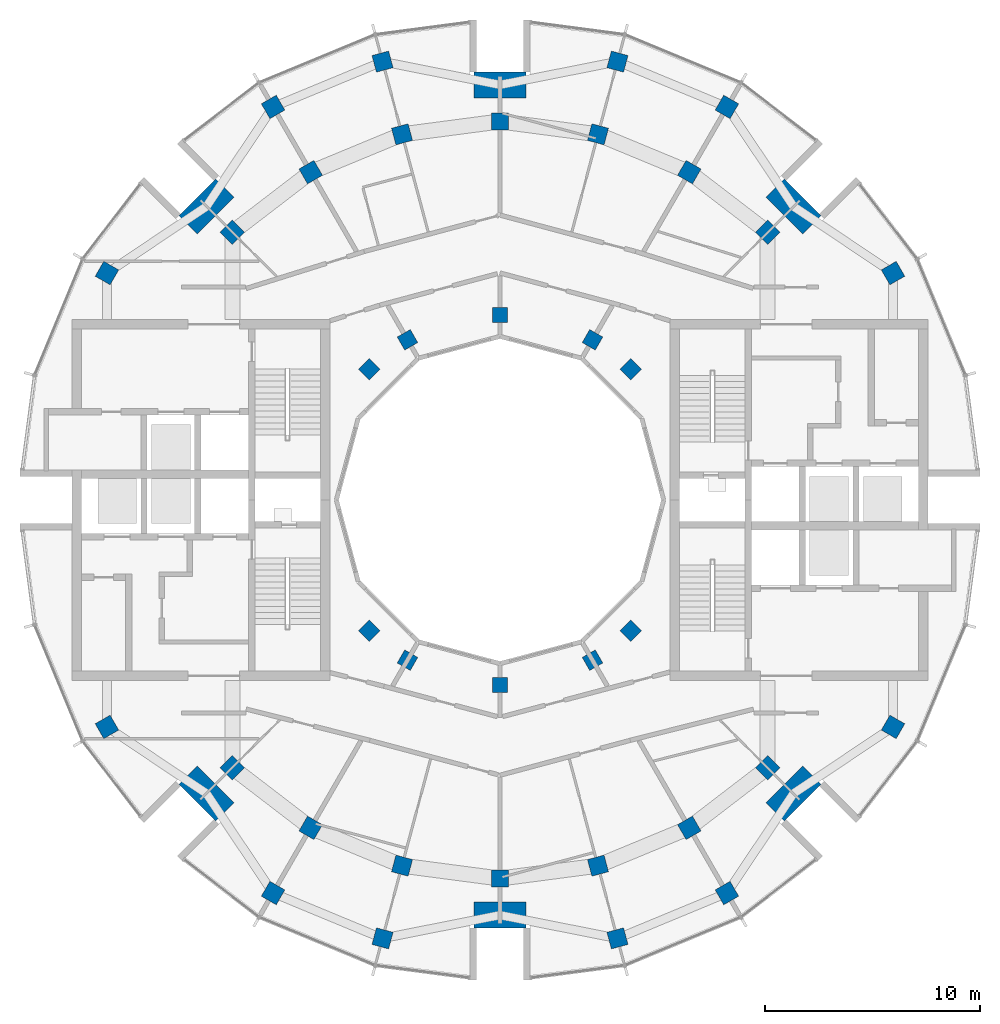
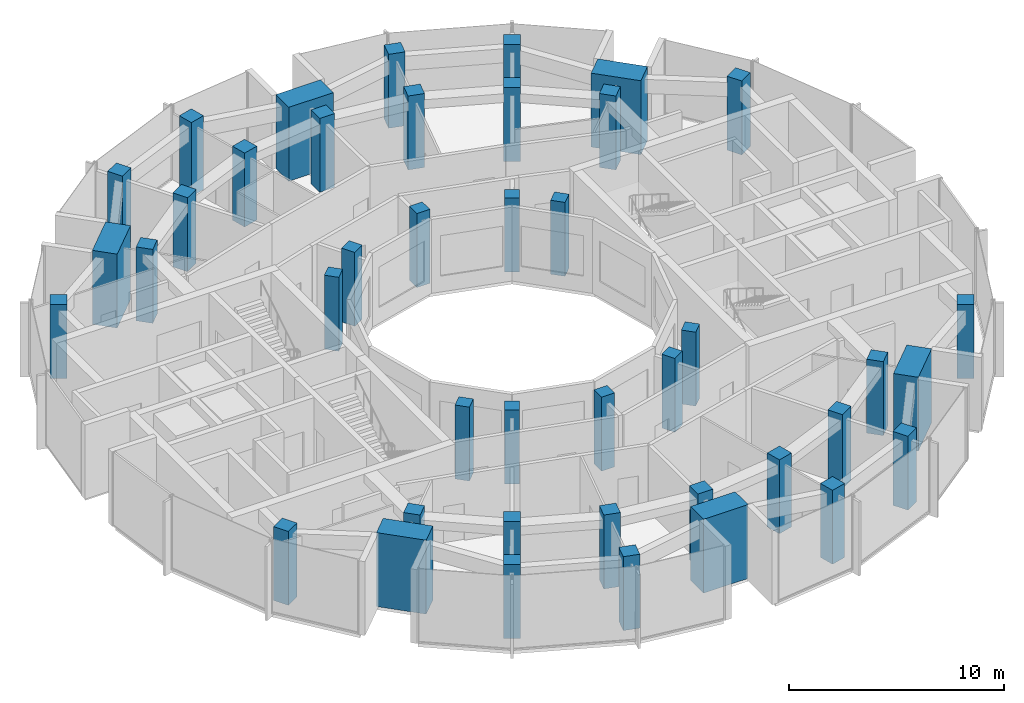
# One storey, part 1 of 14: 42 columns.
"""IFC4 building model written with IfcOpenShell, lengths in metres."""

from ifc_helpers import new_model, si_unit, direction, frame, origin, origin_2d, place, context, subcontext, project, spatial, rectangle, extrude, material, material_profile, profile_set, type_object, element, save


model = new_model("IFC4")

# Units and contexts
model_context = context("Model", 3, precision=1e-05, world=origin(), true_north=direction((0.0, 1.0)))
body_context = subcontext(model_context, "Body", "Model", "MODEL_VIEW")
ifc_project = project(units=[si_unit("LENGTHUNIT", "METRE"), si_unit("AREAUNIT", "SQUARE_METRE"), si_unit("VOLUMEUNIT", "CUBIC_METRE"), si_unit("PLANEANGLEUNIT", "RADIAN"), si_unit("MASSUNIT", "GRAM", prefix="KILO")], contexts=[model_context])

# Site, building, storey
site_placement = place(None, origin())
site = spatial("IfcSite", under=ifc_project, at=site_placement, CompositionType="ELEMENT")
building_placement = place(site_placement, origin())
building = spatial("IfcBuilding", under=site, at=building_placement, Name="Torre Brocal", CompositionType="ELEMENT")
storey_placement = place(building_placement, frame((0.0, 0.0, 305.10009765625)))
storey = spatial("IfcBuildingStorey", under=building, at=storey_placement, Name="L70", CompositionType="ELEMENT", Elevation=305.10009765625)

# Columns
ifc_material_1 = material(Name="Concrete C50", Category="concrete")
ifc_material_profile_1 = material_profile(ifc_material_1, rectangle(XDim=1.199951171875, YDim=2.39990234375, at=origin_2d()), Name="RC 1200X2400")
ifc_profile_set_1 = profile_set([ifc_material_profile_1], Name="Concrete C50")
column_type_1 = type_object("IfcColumnType", Name="RC COLUMN 1200X2400 C50", PredefinedType="COLUMN", material=ifc_profile_set_1)
for number, where, z_axis, x_axis, name in (
    (1, (93.647216796875, 88.647216796875, 0.0), (0.0, 0.0, 1.0), (0.707106781187, 0.707106781187, 0.0), "Column MCB-1"),
    (2, (80.0, 94.300048828125, 0.0), (0.0, 0.0, 1.0), (0.0, 1.0, 0.0), "Column MCB-2"),
    (3, (66.352783203125, 88.647216796875, 0.0), (0.0, 0.0, 1.0), (-0.707106781187, 0.707106781187, 0.0), "Column MCB-3"),
    (4, (66.352783203125, 61.352783203125, 0.0), (0.0, 0.0, 1.0), (-0.707106781187, -0.707106781187, 0.0), "Column MCB-5"),
    (5, (80.0, 55.699951171875, 0.0), (0.0, 0.0, 1.0), (0.0, -1.0, 0.0), "Column MCB-6"),
    (6, (93.647216796875, 61.352783203125, 0.0), (0.0, 0.0, 1.0), (0.707106781187, -0.707106781187, 0.0), "Column MCB-7"),
):
    element("IfcColumn", number, at=place(storey_placement, frame(where, z_axis=z_axis, x_axis=x_axis)), inside=storey, type_object=column_type_1, Name=name, PredefinedType="COLUMN", context=body_context, shape_type="SweptSolid", body=[
        extrude(rectangle(XDim=1.199951171875, YDim=2.39990234375, at=origin_2d()), origin(), (0.0, 0.0, 1.0), 4.199951171875),
    ])
ifc_material_2 = material(Name="Concrete C50", Category="concrete")
ifc_material_profile_2 = material_profile(ifc_material_2, rectangle(XDim=0.699951171875, YDim=0.699951171875, at=origin_2d()), Name="RC 700X700")
ifc_profile_set_2 = profile_set([ifc_material_profile_2], Name="Concrete C50")
column_type_2 = type_object("IfcColumnType", Name="RC COLUMN 700X700 C50", PredefinedType="COLUMN", material=ifc_profile_set_2)
for number, where, z_axis, x_axis, name in (
    (7, (86.0810546875, 81.0810546875, 0.0), (0.0, 0.0, 1.0), (0.707106781187, 0.707106781187, 0.0), "Column C-I03"),
    (8, (84.300048828125, 82.44775390625, 0.0), (0.0, 0.0, 1.0), (0.5, 0.866025403784, 0.0), "Column C-I04"),
    (9, (80.0, 83.60009765625, 0.0), (0.0, 0.0, 1.0), (0.0, 1.0, 0.0), "Column C-I06"),
    (10, (75.699951171875, 82.44775390625, 0.0), (0.0, 0.0, 1.0), (-0.5, 0.866025403784, 0.0), "Column C-I08"),
    (11, (73.9189453125, 81.0810546875, 0.0), (0.0, 0.0, 1.0), (-0.707106781187, 0.707106781187, 0.0), "Column C-I09"),
    (12, (73.9189453125, 68.9189453125, 0.0), (0.0, 0.0, 1.0), (-0.707106781187, -0.707106781187, 0.0), "Column C-I15"),
    (13, (75.699951171875, 67.55224609375, 0.0), (0.0, 0.0, 1.0), (-0.5, -0.866025403784, 0.0), "Column C-I16"),
    (14, (80.0, 66.39990234375, 0.0), (0.0, 0.0, 1.0), (0.0, -1.0, 0.0), "Column C-I18"),
    (15, (84.300048828125, 67.55224609375, 0.0), (0.0, 0.0, 1.0), (0.5, -0.866025403784, 0.0), "Column C-I20"),
    (16, (86.0810546875, 68.9189453125, 0.0), (0.0, 0.0, 1.0), (0.707106781187, -0.707106781187, 0.0), "Column C-I21"),
):
    element("IfcColumn", number, at=place(storey_placement, frame(where, z_axis=z_axis, x_axis=x_axis)), inside=storey, type_object=column_type_2, Name=name, PredefinedType="COLUMN", context=body_context, shape_type="SweptSolid", body=[
        extrude(rectangle(XDim=0.699951171875, YDim=0.699951171875, at=origin_2d()), origin(), (0.0, 0.0, 1.0), 4.199951171875),
    ])
ifc_material_3 = material(Name="Concrete C50", Category="concrete")
ifc_material_profile_3 = material_profile(ifc_material_3, rectangle(XDim=0.800048828125, YDim=0.800048828125, at=origin_2d()), Name="RC 800X800")
ifc_profile_set_3 = profile_set([ifc_material_profile_3], Name="Concrete C50")
column_type_3 = type_object("IfcColumnType", Name="RC COLUMN 800X800 C50", PredefinedType="COLUMN", material=ifc_profile_set_3)
for number, where, z_axis, x_axis, name in (
    (17, (98.273193359375, 85.550048828125, 0.0), (0.0, 0.0, 1.0), (0.866025403784, 0.5, 0.0), "Column C-OB02"),
    (18, (90.550048828125, 93.273193359375, 0.0), (0.0, 0.0, 1.0), (0.5, 0.866025403784, 0.0), "Column C-OB04"),
    (19, (85.461181640625, 95.381103515625, 0.0), (0.0, 0.0, 1.0), (0.258819045103, 0.965925826289, 0.0), "Column C-OB05"),
    (20, (74.538818359375, 95.381103515625, 0.0), (0.0, 0.0, 1.0), (-0.258819045103, 0.965925826289, 0.0), "Column C-OB07"),
    (21, (69.449951171875, 93.273193359375, 0.0), (0.0, 0.0, 1.0), (-0.5, 0.866025403784, 0.0), "Column C-OB08"),
    (22, (61.726806640625, 85.550048828125, 0.0), (0.0, 0.0, 1.0), (-0.866025403784, 0.5, 0.0), "Column C-OB10"),
    (23, (61.726806640625, 64.449951171875, 0.0), (0.0, 0.0, 1.0), (-0.866025403784, -0.5, 0.0), "Column C-OB14"),
    (24, (69.449951171875, 56.726806640625, 0.0), (0.0, 0.0, 1.0), (-0.5, -0.866025403784, 0.0), "Column C-OB16"),
    (25, (74.538818359375, 54.618896484375, 0.0), (0.0, 0.0, 1.0), (-0.258819045103, -0.965925826289, 0.0), "Column C-OB17"),
    (26, (85.461181640625, 54.618896484375, 0.0), (0.0, 0.0, 1.0), (0.258819045103, -0.965925826289, 0.0), "Column C-OB19"),
    (27, (90.550048828125, 56.726806640625, 0.0), (0.0, 0.0, 1.0), (0.5, -0.866025403784, 0.0), "Column C-OB20"),
    (28, (98.273193359375, 64.449951171875, 0.0), (0.0, 0.0, 1.0), (0.866025403784, -0.5, 0.0), "Column C-OB22"),
    (29, (92.445068359375, 87.445068359375, 0.0), (0.0, 0.0, 1.0), (0.707106781187, 0.707106781187, 0.0), "Column C-M03"),
    (30, (88.800048828125, 90.241943359375, 0.0), (0.0, 0.0, 1.0), (0.5, 0.866025403784, 0.0), "Column C-M04"),
    (31, (84.55517578125, 92.000244140625, 0.0), (0.0, 0.0, 1.0), (0.258819045103, 0.965925826289, 0.0), "Column C-M05"),
    (32, (80.0, 92.60009765625, 0.0), (0.0, 0.0, 1.0), (0.0, 1.0, 0.0), "Column C-M06"),
    (33, (75.44482421875, 92.000244140625, 0.0), (0.0, 0.0, 1.0), (-0.258819045103, 0.965925826289, 0.0), "Column C-M07"),
    (34, (71.199951171875, 90.241943359375, 0.0), (0.0, 0.0, 1.0), (-0.5, 0.866025403784, 0.0), "Column C-M08"),
    (35, (67.554931640625, 87.445068359375, 0.0), (0.0, 0.0, 1.0), (-0.707106781187, 0.707106781187, 0.0), "Column C-M09"),
    (36, (67.554931640625, 62.554931640625, 0.0), (0.0, 0.0, 1.0), (-0.707106781187, -0.707106781187, 0.0), "Column C-M15"),
    (37, (71.199951171875, 59.758056640625, 0.0), (0.0, 0.0, 1.0), (-0.5, -0.866025403784, 0.0), "Column C-M16"),
    (38, (75.44482421875, 57.999755859375, 0.0), (0.0, 0.0, 1.0), (-0.258819045103, -0.965925826289, 0.0), "Column C-M17"),
    (39, (80.0, 57.39990234375, 0.0), (0.0, 0.0, 1.0), (0.0, -1.0, 0.0), "Column C-M18"),
    (40, (84.55517578125, 57.999755859375, 0.0), (0.0, 0.0, 1.0), (0.258819045103, -0.965925826289, 0.0), "Column C-M19"),
    (41, (88.800048828125, 59.758056640625, 0.0), (0.0, 0.0, 1.0), (0.5, -0.866025403784, 0.0), "Column C-M20"),
    (42, (92.445068359375, 62.554931640625, 0.0), (0.0, 0.0, 1.0), (0.707106781187, -0.707106781187, 0.0), "Column C-M21"),
):
    element("IfcColumn", number, at=place(storey_placement, frame(where, z_axis=z_axis, x_axis=x_axis)), inside=storey, type_object=column_type_3, Name=name, PredefinedType="COLUMN", context=body_context, shape_type="SweptSolid", body=[
        extrude(rectangle(XDim=0.800048828125, YDim=0.800048828125, at=origin_2d()), origin(), (0.0, 0.0, 1.0), 4.199951171875),
    ])

save(model, "model.ifc")
